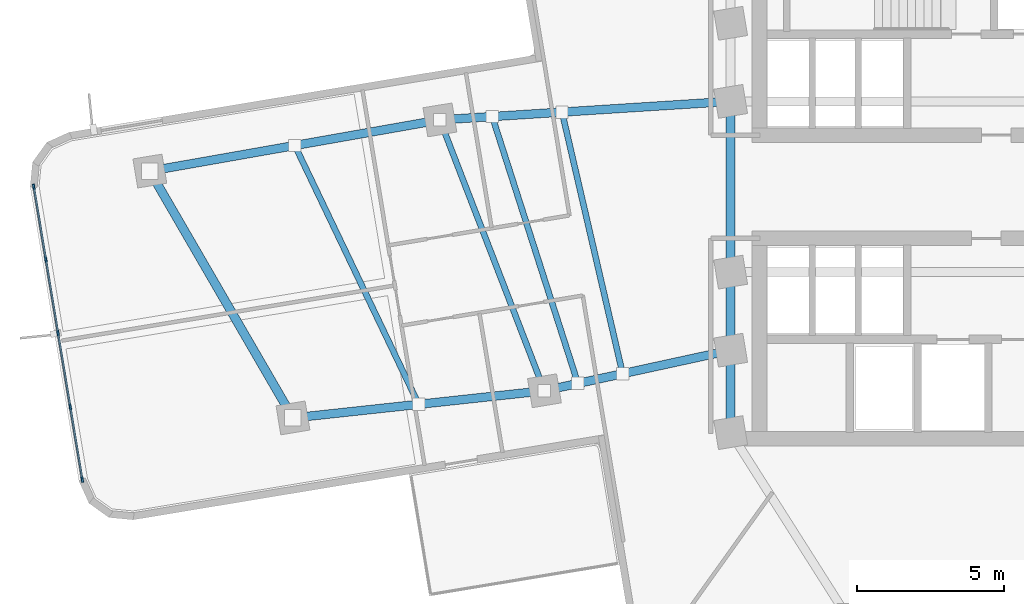
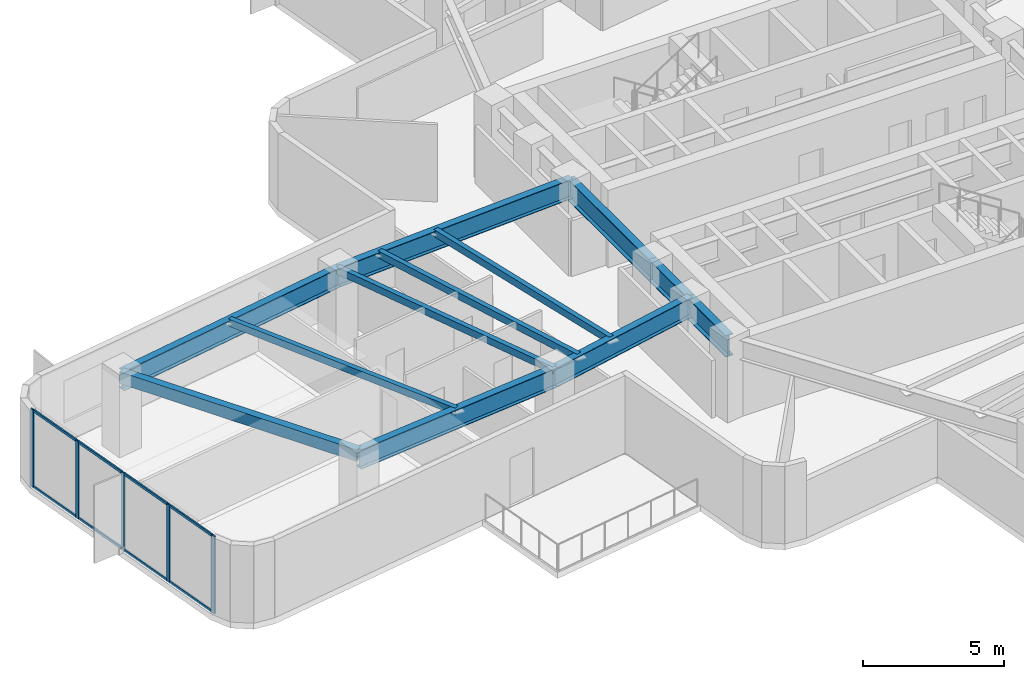
# One storey, part 2 of 13: 13 members, 12 beams, 1 element without a shape of its own.
"""IFC4 building model written with IfcOpenShell, lengths in metres."""

from ifc_helpers import new_model, si_unit, direction, frame, origin, origin_2d, place, context, subcontext, project, spatial, rectangle, hollow_rectangle, i_section, extrude, material, layer, layer_set, material_profile, profile_set, type_object, element, aggregate, save


model = new_model("IFC4")

# Units and contexts
model_context = context("Model", 3, precision=1e-05, world=origin(), true_north=direction((0.0, 1.0)))
body_context = subcontext(model_context, "Body", "Model", "MODEL_VIEW")
ifc_project = project(units=[si_unit("LENGTHUNIT", "METRE"), si_unit("AREAUNIT", "SQUARE_METRE"), si_unit("VOLUMEUNIT", "CUBIC_METRE"), si_unit("PLANEANGLEUNIT", "RADIAN"), si_unit("MASSUNIT", "GRAM", prefix="KILO")], contexts=[model_context])

# Site, building, storey
site_placement = place(None, origin())
site = spatial("IfcSite", under=ifc_project, at=site_placement, CompositionType="ELEMENT")
building_placement = place(site_placement, origin())
building = spatial("IfcBuilding", under=site, at=building_placement, Name="Solmarez Civic Tower", CompositionType="ELEMENT")
storey_placement = place(building_placement, frame((0.0, 0.0, 96.47998046875)))
storey = spatial("IfcBuildingStorey", under=building, at=storey_placement, Name="L25", CompositionType="ELEMENT", Elevation=96.47998046875)

# Beams
ifc_material_1 = material(Name="Steel S355", Category="steel")
ifc_material_profile_1 = material_profile(ifc_material_1, hollow_rectangle(XDim=0.199951171875, YDim=0.300048828125, WallThickness=0.011962890625, at=origin_2d()), Name="HSS300X200X12")
ifc_profile_set_1 = profile_set([ifc_material_profile_1], Name="Steel S355")
beam_type_1 = type_object("IfcBeamType", Name="BM-JS-HSS300X200", PredefinedType="JOIST", material=ifc_profile_set_1)
beam_1_placement = place(storey_placement, frame((-18.72412109375, 2.27099609375, 3.18994140625), z_axis=(0.359984466214, -0.932958297077, 0.0), x_axis=(0.932958297077, 0.359984466214, 0.0)))
element("IfcBeam", 1, at=beam_1_placement, inside=storey, type_object=beam_type_1, Name="L25 Secondary Floor Joist BM-L25-WA-T1", PredefinedType="JOIST", context=body_context, shape_type="SweptSolid", body=[
    extrude(hollow_rectangle(XDim=0.199951171875, YDim=0.300048828125, WallThickness=0.011962890625, at=origin_2d()), origin(), (0.0, 0.0, 1.0), 9.85888671875),
])
beam_2_placement = place(storey_placement, frame((-23.64990234375, 1.402099609375, 3.18994140625), z_axis=(0.431491843414, -0.902116837814, 0.0), x_axis=(0.902116837814, 0.431491843414, 0.0)))
element("IfcBeam", 2, at=beam_2_placement, inside=storey, type_object=beam_type_1, Name="L25 Secondary Floor Joist JS-L25-WA-M2", PredefinedType="JOIST", context=body_context, shape_type="SweptSolid", body=[
    extrude(hollow_rectangle(XDim=0.199951171875, YDim=0.300048828125, WallThickness=0.011962890625, at=origin_2d()), origin(), (0.0, 0.0, 1.0), 9.744873046875),
])
beam_3_placement = place(storey_placement, frame((-14.576904296875, 2.534912109375, 3.18994140625), z_axis=(0.225762717226, -0.974182321494, 0.0), x_axis=(0.974182321494, 0.225762717226, 0.0)))
element("IfcBeam", 3, at=beam_3_placement, inside=storey, type_object=beam_type_1, Name="L25 Secondary Floor Joist JS-L25-WA-M11", PredefinedType="JOIST", context=body_context, shape_type="SweptSolid", body=[
    extrude(hollow_rectangle(XDim=0.199951171875, YDim=0.300048828125, WallThickness=0.011962890625, at=origin_2d()), origin(), (0.0, 0.0, 1.0), 9.119384765625),
])
beam_4_placement = place(storey_placement, frame((-16.947021484375, 2.384033203125, 3.18994140625), z_axis=(0.305705295997, -0.952126184914, 0.0), x_axis=(0.952126184914, 0.305705295997, 0.0)))
element("IfcBeam", 4, at=beam_4_placement, inside=storey, type_object=beam_type_1, Name="L25 Secondary Floor Joist JS-L25-WA-M12", PredefinedType="JOIST", context=body_context, shape_type="SweptSolid", body=[
    extrude(hollow_rectangle(XDim=0.199951171875, YDim=0.300048828125, WallThickness=0.011962890625, at=origin_2d()), origin(), (0.0, 0.0, 1.0), 9.518798828125),
])
ifc_material_profile_2 = material_profile(ifc_material_1, i_section(OverallWidth=0.2919921875, OverallDepth=0.845947265625, WebThickness=0.015380859375, FlangeThickness=0.0244140625, at=origin_2d()), Name="W33X141")
ifc_profile_set_2 = profile_set([ifc_material_profile_2], Name="Steel S355")
beam_type_2 = type_object("IfcBeamType", Name="BM-PR-W33X141", PredefinedType="BEAM", material=ifc_profile_set_2)
beam_5_placement = place(storey_placement, frame((-8.85009765625, 2.89990234375, 2.9169921875), z_axis=(-0.997977751208, -0.063564204508, 0.0), x_axis=(0.063564204508, -0.997977751208, 0.0)))
element("IfcBeam", 5, at=beam_5_placement, inside=storey, type_object=beam_type_2, Name="L25 Primary Floor Beam BM-L25-WA-R1A", PredefinedType="BEAM", context=body_context, shape_type="SweptSolid", body=[
    extrude(i_section(OverallWidth=0.2919921875, OverallDepth=0.845947265625, WebThickness=0.015380859375, FlangeThickness=0.0244140625, at=origin_2d()), origin(), (0.0, 0.0, 1.0), 9.89404296875),
])
beam_6_placement = place(storey_placement, frame((-8.85009765625, -5.550048828125, 2.9169921875), z_axis=(-0.977113347202, -0.212719314402, 0.0), x_axis=(0.212719314402, -0.977113347202, 0.0)))
element("IfcBeam", 6, at=beam_6_placement, inside=storey, type_object=beam_type_2, Name="L25 Primary Floor Beam BM-L25-WA-R1B", PredefinedType="BEAM", context=body_context, shape_type="SweptSolid", body=[
    extrude(i_section(OverallWidth=0.2919921875, OverallDepth=0.845947265625, WebThickness=0.015380859375, FlangeThickness=0.0244140625, at=origin_2d()), origin(), (0.0, 0.0, 1.0), 6.47314453125),
])
beam_7_placement = place(storey_placement, frame((-18.72412109375, 2.27099609375, 2.9169921875), z_axis=(-0.984792402105, -0.173735214497, 0.0), x_axis=(0.173735214497, -0.984792402105, 0.0)))
element("IfcBeam", 7, at=beam_7_placement, inside=storey, type_object=beam_type_2, Name="L25 Primary Floor Beam BM-L25-WA-R2A", PredefinedType="BEAM", context=body_context, shape_type="SweptSolid", body=[
    extrude(i_section(OverallWidth=0.2919921875, OverallDepth=0.845947265625, WebThickness=0.015380859375, FlangeThickness=0.0244140625, at=origin_2d()), origin(), (0.0, 0.0, 1.0), 10.00390625),
])
beam_8_placement = place(storey_placement, frame((-15.175048828125, -6.927001953125, 2.9169921875), z_axis=(-0.994196782435, -0.107576753045, 0.0), x_axis=(0.107576753045, -0.994196782435, 0.0)))
element("IfcBeam", 8, at=beam_8_placement, inside=storey, type_object=beam_type_2, Name="L25 Primary Floor Beam BM-L25-WA-R2B", PredefinedType="BEAM", context=body_context, shape_type="SweptSolid", body=[
    extrude(i_section(OverallWidth=0.2919921875, OverallDepth=0.845947265625, WebThickness=0.015380859375, FlangeThickness=0.0244140625, at=origin_2d()), origin(), (0.0, 0.0, 1.0), 8.58984375),
])
ifc_material_profile_3 = material_profile(ifc_material_1, i_section(OverallWidth=0.306884765625, OverallDepth=0.927001953125, WebThickness=0.019287109375, FlangeThickness=0.031982421875, at=origin_2d()), Name="W36X194")
ifc_profile_set_3 = profile_set([ifc_material_profile_3], Name="Steel S355")
beam_type_3 = type_object("IfcBeamType", Name="BM-PR-W36X194", PredefinedType="BEAM", material=ifc_profile_set_3)
beam_9_placement = place(storey_placement, frame((-8.85009765625, -8.35009765625, 2.8759765625), z_axis=(0.0, 1.0, 0.0), x_axis=(-1.0, 0.0, 0.0)))
element("IfcBeam", 9, at=beam_9_placement, inside=storey, type_object=beam_type_3, Name="L25 Primary Floor Beam BM-L25-HC12-HC1", PredefinedType="BEAM", context=body_context, shape_type="SweptSolid", body=[
    extrude(i_section(OverallWidth=0.306884765625, OverallDepth=0.927001953125, WebThickness=0.019287109375, FlangeThickness=0.031982421875, at=origin_2d()), origin(), (0.0, 0.0, 1.0), 2.800048828125),
])
beam_10_placement = place(storey_placement, frame((-8.85009765625, -5.550048828125, 2.8759765625), z_axis=(0.0, 1.0, 0.0), x_axis=(-1.0, 0.0, 0.0)))
element("IfcBeam", 10, at=beam_10_placement, inside=storey, type_object=beam_type_3, Name="L25 Primary Floor Beam BM-L25-HC1-HC2", PredefinedType="BEAM", context=body_context, shape_type="SweptSolid", body=[
    extrude(i_section(OverallWidth=0.306884765625, OverallDepth=0.927001953125, WebThickness=0.019287109375, FlangeThickness=0.031982421875, at=origin_2d()), origin(), (0.0, 0.0, 1.0), 2.650146484375),
])
beam_11_placement = place(storey_placement, frame((-8.85009765625, -2.89990234375, 2.8759765625), z_axis=(0.0, 1.0, 0.0), x_axis=(-1.0, 0.0, 0.0)))
element("IfcBeam", 11, at=beam_11_placement, inside=storey, type_object=beam_type_3, Name="L25 Primary Floor Beam BM-L25-HC2-HC3", PredefinedType="BEAM", context=body_context, shape_type="SweptSolid", body=[
    extrude(i_section(OverallWidth=0.306884765625, OverallDepth=0.927001953125, WebThickness=0.019287109375, FlangeThickness=0.031982421875, at=origin_2d()), origin(), (0.0, 0.0, 1.0), 5.7998046875),
])
ifc_material_profile_4 = material_profile(ifc_material_1, hollow_rectangle(XDim=0.300048828125, YDim=0.5, WallThickness=0.02001953125, at=origin_2d()), Name="HSS500X300X20")
ifc_profile_set_4 = profile_set([ifc_material_profile_4], Name="Steel S355")
beam_type_4 = type_object("IfcBeamType", Name="BM-SP-HSS500X300", PredefinedType="SPANDREL", material=ifc_profile_set_4)
beam_12_placement = place(storey_placement, frame((-28.575927734375, 0.532958984375, 3.090087890625), z_axis=(0.501571424933, -0.865116238254, 0.0), x_axis=(0.865116238254, 0.501571424933, 0.0)))
element("IfcBeam", 12, at=beam_12_placement, inside=storey, type_object=beam_type_4, Name="L25 Perimeter Spandrel Beam BM-L25-WA-T2", PredefinedType="SPANDREL", context=body_context, shape_type="SweptSolid", body=[
    extrude(hollow_rectangle(XDim=0.300048828125, YDim=0.5, WallThickness=0.02001953125, at=origin_2d()), origin(), (0.0, 0.0, 1.0), 9.691162109375),
])

# Curtain wall, members
ifc_material_2 = material(Name="Bronze Anodised Aluminium EN AW-6063 T6", Category="aluminium")
ifc_layer = layer(ifc_material_2, 0.155029296875)
ifc_layer_set = layer_set([ifc_layer], Name="Bronze Anodised Aluminium EN AW-6063 T6")
curtain_wall_type = type_object("IfcCurtainWallType", Name="CW-SYS-6", PredefinedType="NOTDEFINED", material=ifc_layer_set)
curtain_wall_placement = place(storey_placement, origin())
curtain_wall = element("IfcCurtainWall", 13, at=curtain_wall_placement, inside=storey, type_object=curtain_wall_type, Name="L25 Stick-Built Curtain Wall 1", PredefinedType="NOTDEFINED")
ifc_material_profile_5 = material_profile(ifc_material_2, rectangle(XDim=0.070068359375, YDim=0.179931640625, at=origin_2d()), Name="CWM-70X180")
ifc_profile_set_5 = profile_set([ifc_material_profile_5], Name="Bronze Anodised Aluminium EN AW-6063 T6")
member_type_1 = type_object("IfcMemberType", Name="CWM-TYPE-2", PredefinedType="MULLION", material=ifc_profile_set_5)
member_1_placement = place(storey_placement, frame((-30.86962890625, -9.949462890625, 0.0), z_axis=(0.0, 0.0, 1.0), x_axis=(-0.986574244867, -0.163313377789, 0.0)))
member_1 = element("IfcMember", 14, at=member_1_placement, type_object=member_type_1, Name="CWS6 mullion 1", PredefinedType="MULLION", context=body_context, shape_type="SweptSolid", body=[
    extrude(rectangle(XDim=0.070068359375, YDim=0.179931640625, at=origin_2d()), origin(), (0.0, 0.0, 1.0), 3.340087890625),
])
member_2_placement = place(storey_placement, frame((-31.27880859375, -7.478515625, 0.0), z_axis=(0.0, 0.0, 1.0), x_axis=(-0.986574244867, -0.163313377789, 0.0)))
member_2 = element("IfcMember", 15, at=member_2_placement, type_object=member_type_1, Name="CWS6 mullion 2", PredefinedType="MULLION", context=body_context, shape_type="SweptSolid", body=[
    extrude(rectangle(XDim=0.070068359375, YDim=0.179931640625, at=origin_2d()), origin(), (0.0, 0.0, 1.0), 3.340087890625),
])
member_3_placement = place(storey_placement, frame((-31.693603515625, -4.972900390625, 0.0), z_axis=(0.0, 0.0, 1.0), x_axis=(-0.986574244867, -0.163313377789, 0.0)))
member_3 = element("IfcMember", 16, at=member_3_placement, type_object=member_type_1, Name="CWS6 mullion 3", PredefinedType="MULLION", context=body_context, shape_type="SweptSolid", body=[
    extrude(rectangle(XDim=0.070068359375, YDim=0.179931640625, at=origin_2d()), origin(), (0.0, 0.0, 1.0), 3.340087890625),
])
member_4_placement = place(storey_placement, frame((-32.108154296875, -2.467529296875, 0.0), z_axis=(0.0, 0.0, 1.0), x_axis=(-0.986574244867, -0.163313377789, 0.0)))
member_4 = element("IfcMember", 17, at=member_4_placement, type_object=member_type_1, Name="CWS6 mullion 4", PredefinedType="MULLION", context=body_context, shape_type="SweptSolid", body=[
    extrude(rectangle(XDim=0.070068359375, YDim=0.179931640625, at=origin_2d()), origin(), (0.0, 0.0, 1.0), 3.340087890625),
])
member_5_placement = place(storey_placement, frame((-32.517333984375, 0.00341796875, 0.0), z_axis=(0.0, 0.0, 1.0), x_axis=(-0.986574244867, -0.163313377789, 0.0)))
member_5 = element("IfcMember", 18, at=member_5_placement, type_object=member_type_1, Name="CWS6 mullion 5", PredefinedType="MULLION", context=body_context, shape_type="SweptSolid", body=[
    extrude(rectangle(XDim=0.070068359375, YDim=0.179931640625, at=origin_2d()), origin(), (0.0, 0.0, 1.0), 3.340087890625),
])
ifc_material_profile_6 = material_profile(ifc_material_2, rectangle(XDim=0.06005859375, YDim=0.110107421875, at=origin_2d()), Name="CWT-60X110")
ifc_profile_set_6 = profile_set([ifc_material_profile_6], Name="Bronze Anodised Aluminium EN AW-6063 T6")
member_type_2 = type_object("IfcMemberType", Name="CWT-TYPE-3", PredefinedType="USERDEFINED", material=ifc_profile_set_6)
member_6_placement = place(storey_placement, frame((-30.87548828125, -9.9150390625, 0.030029296875), z_axis=(-0.16324438061, 0.986585663893, 0.0), x_axis=(-0.986585663893, -0.16324438061, 0.0)))
member_6 = element("IfcMember", 19, at=member_6_placement, type_object=member_type_2, Name="CWS6 transom 1.1", ObjectType="TRANSOM", PredefinedType="USERDEFINED", context=body_context, shape_type="SweptSolid", body=[
    extrude(rectangle(XDim=0.06005859375, YDim=0.110107421875, at=origin_2d()), origin(), (0.0, 0.0, 1.0), 2.434814453125),
])
member_7_placement = place(storey_placement, frame((-30.87548828125, -9.9150390625, 3.31005859375), z_axis=(-0.16324438061, 0.986585663893, 0.0), x_axis=(-0.986585663893, -0.16324438061, 0.0)))
member_7 = element("IfcMember", 20, at=member_7_placement, type_object=member_type_2, Name="CWS6 transom 1.2", ObjectType="TRANSOM", PredefinedType="USERDEFINED", context=body_context, shape_type="SweptSolid", body=[
    extrude(rectangle(XDim=0.06005859375, YDim=0.110107421875, at=origin_2d()), origin(), (0.0, 0.0, 1.0), 2.434814453125),
])
member_8_placement = place(storey_placement, frame((-31.284423828125, -7.444091796875, 0.030029296875), z_axis=(-0.163308807838, 0.986575001347, 0.0), x_axis=(-0.986575001347, -0.163308807838, 0.0)))
member_8 = element("IfcMember", 21, at=member_8_placement, type_object=member_type_2, Name="CWS6 transom 2.1", ObjectType="TRANSOM", PredefinedType="USERDEFINED", context=body_context, shape_type="SweptSolid", body=[
    extrude(rectangle(XDim=0.06005859375, YDim=0.110107421875, at=origin_2d()), origin(), (0.0, 0.0, 1.0), 2.4697265625),
])
member_9_placement = place(storey_placement, frame((-31.284423828125, -7.444091796875, 3.31005859375), z_axis=(-0.163308807838, 0.986575001347, 0.0), x_axis=(-0.986575001347, -0.163308807838, 0.0)))
member_9 = element("IfcMember", 22, at=member_9_placement, type_object=member_type_2, Name="CWS6 transom 2.2", ObjectType="TRANSOM", PredefinedType="USERDEFINED", context=body_context, shape_type="SweptSolid", body=[
    extrude(rectangle(XDim=0.06005859375, YDim=0.110107421875, at=origin_2d()), origin(), (0.0, 0.0, 1.0), 2.4697265625),
])
member_10_placement = place(storey_placement, frame((-31.69921875, -4.9384765625, 0.030029296875), z_axis=(-0.163308807838, 0.986575001347, 0.0), x_axis=(-0.986575001347, -0.163308807838, 0.0)))
member_10 = element("IfcMember", 23, at=member_10_placement, type_object=member_type_2, Name="CWS6 transom 3.1", ObjectType="TRANSOM", PredefinedType="USERDEFINED", context=body_context, shape_type="SweptSolid", body=[
    extrude(rectangle(XDim=0.06005859375, YDim=0.110107421875, at=origin_2d()), origin(), (0.0, 0.0, 1.0), 2.4697265625),
])
member_11_placement = place(storey_placement, frame((-31.69921875, -4.9384765625, 3.31005859375), z_axis=(-0.163308807838, 0.986575001347, 0.0), x_axis=(-0.986575001347, -0.163308807838, 0.0)))
member_11 = element("IfcMember", 24, at=member_11_placement, type_object=member_type_2, Name="CWS6 transom 3.2", ObjectType="TRANSOM", PredefinedType="USERDEFINED", context=body_context, shape_type="SweptSolid", body=[
    extrude(rectangle(XDim=0.06005859375, YDim=0.110107421875, at=origin_2d()), origin(), (0.0, 0.0, 1.0), 2.4697265625),
])
member_12_placement = place(storey_placement, frame((-32.114013671875, -2.432861328125, 0.030029296875), z_axis=(-0.163260531604, 0.98658299135, 0.0), x_axis=(-0.98658299135, -0.163260531604, 0.0)))
member_12 = element("IfcMember", 25, at=member_12_placement, type_object=member_type_2, Name="CWS6 transom 4.1", ObjectType="TRANSOM", PredefinedType="USERDEFINED", context=body_context, shape_type="SweptSolid", body=[
    extrude(rectangle(XDim=0.06005859375, YDim=0.110107421875, at=origin_2d()), origin(), (0.0, 0.0, 1.0), 2.4345703125),
])
member_13_placement = place(storey_placement, frame((-32.114013671875, -2.432861328125, 3.31005859375), z_axis=(-0.163260531604, 0.98658299135, 0.0), x_axis=(-0.98658299135, -0.163260531604, 0.0)))
member_13 = element("IfcMember", 26, at=member_13_placement, type_object=member_type_2, Name="CWS6 transom 4.2", ObjectType="TRANSOM", PredefinedType="USERDEFINED", context=body_context, shape_type="SweptSolid", body=[
    extrude(rectangle(XDim=0.06005859375, YDim=0.110107421875, at=origin_2d()), origin(), (0.0, 0.0, 1.0), 2.4345703125),
])
aggregate(curtain_wall, [member_1, member_2, member_3, member_4, member_5, member_6, member_7, member_8, member_9, member_10, member_11, member_12, member_13])

save(model, "model.ifc")
